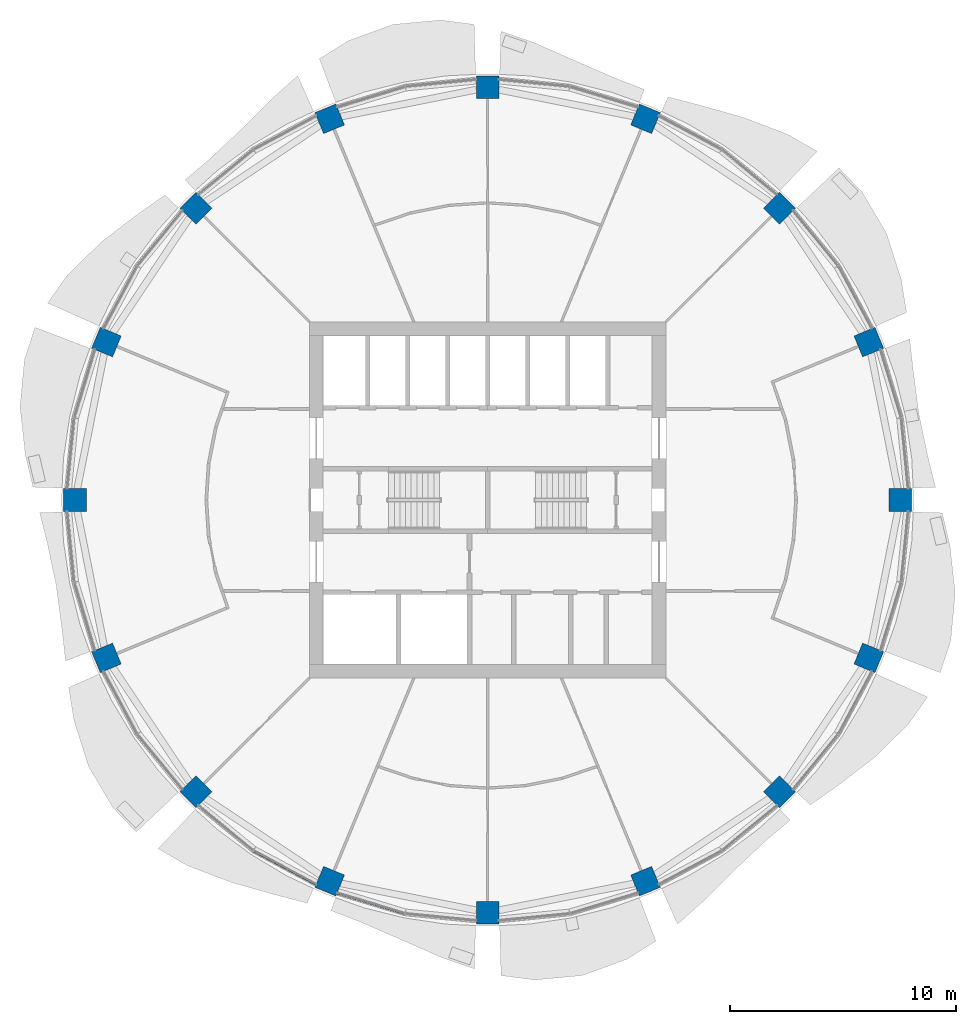
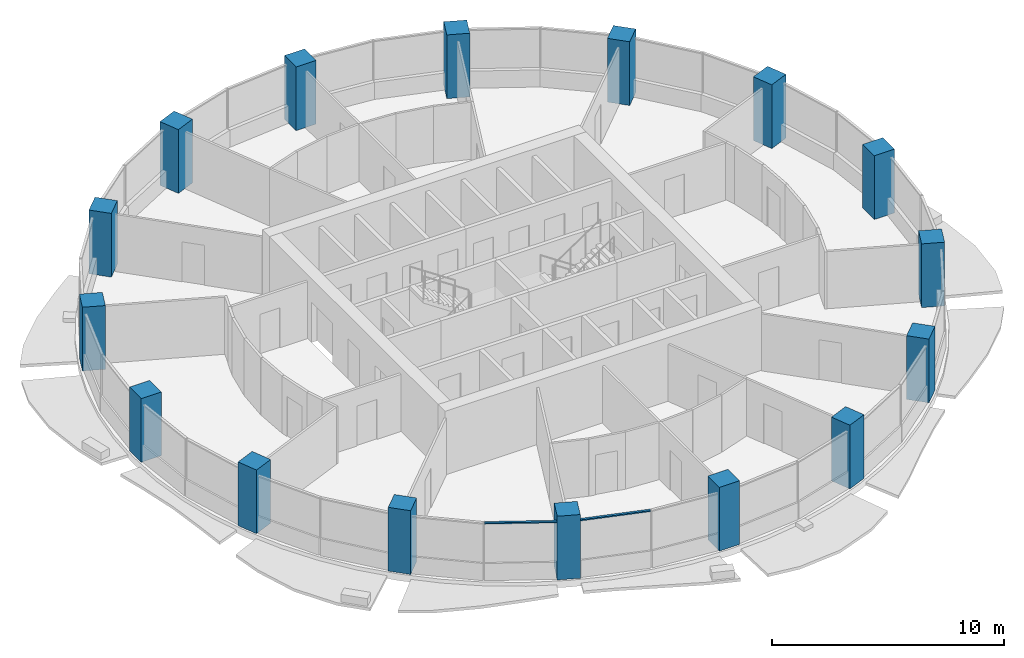
# One storey, part 1 of 15: 16 columns, 2 members, 2 elements without a shape of their own.
"""IFC4 building model written with IfcOpenShell, lengths in metres."""

from ifc_helpers import new_model, si_unit, direction, frame, origin, origin_2d, place, context, subcontext, project, spatial, rectangle, extrude, material, material_profile, profile_set, type_object, element, aggregate, save


model = new_model("IFC4")

# Units and contexts
model_context = context("Model", 3, precision=1e-05, world=origin(), true_north=direction((0.0, 1.0)))
body_context = subcontext(model_context, "Body", "Model", "MODEL_VIEW")
ifc_project = project(units=[si_unit("LENGTHUNIT", "METRE"), si_unit("AREAUNIT", "SQUARE_METRE"), si_unit("VOLUMEUNIT", "CUBIC_METRE"), si_unit("PLANEANGLEUNIT", "RADIAN"), si_unit("MASSUNIT", "GRAM", prefix="KILO")], contexts=[model_context])

# Site, building, storey
site_placement = place(None, origin())
site = spatial("IfcSite", under=ifc_project, at=site_placement, CompositionType="ELEMENT")
building_placement = place(site_placement, origin())
building = spatial("IfcBuilding", under=site, at=building_placement, Name="Polderwave Tower", CompositionType="ELEMENT")
storey_placement = place(building_placement, frame((0.0, 0.0, 154.449951171875)))
storey = spatial("IfcBuildingStorey", under=building, at=storey_placement, Name="L41", CompositionType="ELEMENT", Elevation=154.449951171875)

# Columns
ifc_material_1 = material(Name="Concrete C60/75", Category="concrete")
ifc_material_profile_1 = material_profile(ifc_material_1, rectangle(XDim=1.0, YDim=1.0, at=origin_2d()), Name="RC 1000x1000")
ifc_profile_set_1 = profile_set([ifc_material_profile_1], Name="Concrete C60/75")
column_type = type_object("IfcColumnType", Name="RC COLUMN 1000x1000 C60/75", PredefinedType="COLUMN", material=ifc_profile_set_1)
for number, where, z_axis, x_axis, name in (
    (1, (18.22998046875, 0.0, 0.0), (0.0, 0.0, 1.0), (1.0, 0.0, 0.0), "Ring column 01"),
    (2, (16.84228515625, 6.976318359375, 0.0), (0.0, 0.0, 1.0), (0.923879532511, 0.382683432365, 0.0), "Ring column 02"),
    (3, (12.890625, 12.890625, 0.0), (0.0, 0.0, 1.0), (0.707106781187, 0.707106781187, 0.0), "Ring column 03"),
    (4, (6.976318359375, 16.84228515625, 0.0), (0.0, 0.0, 1.0), (0.382683432365, 0.923879532511, 0.0), "Ring column 04"),
    (5, (0.0, 18.22998046875, 0.0), (0.0, 0.0, 1.0), (0.0, 1.0, 0.0), "Ring column 05"),
    (6, (-6.976318359375, 16.84228515625, 0.0), (0.0, 0.0, 1.0), (-0.382683432365, 0.923879532511, 0.0), "Ring column 06"),
    (7, (-12.890625, 12.890625, 0.0), (0.0, 0.0, 1.0), (-0.707106781187, 0.707106781187, 0.0), "Ring column 07"),
    (8, (-16.84228515625, 6.976318359375, 0.0), (0.0, 0.0, 1.0), (-0.923879532511, 0.382683432365, 0.0), "Ring column 08"),
    (9, (-18.22998046875, 0.0, 0.0), (0.0, 0.0, 1.0), (-1.0, 0.0, 0.0), "Ring column 09"),
    (10, (-16.84228515625, -6.976318359375, 0.0), (0.0, 0.0, 1.0), (-0.923879532511, -0.382683432365, 0.0), "Ring column 10"),
    (11, (-12.890625, -12.890625, 0.0), (0.0, 0.0, 1.0), (-0.707106781187, -0.707106781187, 0.0), "Ring column 11"),
    (12, (-6.976318359375, -16.84228515625, 0.0), (0.0, 0.0, 1.0), (-0.382683432365, -0.923879532511, 0.0), "Ring column 12"),
    (13, (0.0, -18.22998046875, 0.0), (0.0, 0.0, 1.0), (0.0, -1.0, 0.0), "Ring column 13"),
    (14, (6.976318359375, -16.84228515625, 0.0), (0.0, 0.0, 1.0), (0.382683432365, -0.923879532511, 0.0), "Ring column 14"),
    (15, (12.890625, -12.890625, 0.0), (0.0, 0.0, 1.0), (0.707106781187, -0.707106781187, 0.0), "Ring column 15"),
    (16, (16.84228515625, -6.976318359375, 0.0), (0.0, 0.0, 1.0), (0.923879532511, -0.382683432365, 0.0), "Ring column 16"),
):
    element("IfcColumn", number, at=place(storey_placement, frame(where, z_axis=z_axis, x_axis=x_axis)), inside=storey, type_object=column_type, Name=name, PredefinedType="COLUMN", context=body_context, shape_type="SweptSolid", body=[
        extrude(rectangle(XDim=1.0, YDim=1.0, at=origin_2d()), origin(), (0.0, 0.0, 1.0), 3.35009765625),
    ])

# Curtain wall, member
ifc_material_2 = material(Name="Aluminium 6063-T6 and glass", Category="aluminium")
curtain_wall_type = type_object("IfcCurtainWallType", Name="Office ribbon glazing wall", PredefinedType="NOTDEFINED", material=ifc_material_2)
curtain_wall_1_placement = place(storey_placement, origin())
curtain_wall_1 = element("IfcCurtainWall", 17, at=curtain_wall_1_placement, inside=storey, type_object=curtain_wall_type, Name="CW3 L41 10", PredefinedType="NOTDEFINED")
ifc_material_3 = material(Name="Aluminium 6063-T6", Category="aluminium")
ifc_material_profile_2 = material_profile(ifc_material_3, rectangle(XDim=0.1201171875, YDim=0.06005859375, at=origin_2d()), Name="AL 60x120")
ifc_profile_set_2 = profile_set([ifc_material_profile_2], Name="Aluminium 6063-T6")
member_type = type_object("IfcMemberType", Name="Office ribbon glazing transom 60x120", PredefinedType="USERDEFINED", material=ifc_profile_set_2)
member_1_placement = place(storey_placement, frame((-10.32568359375, -15.5029296875, 2.969970703125), z_axis=(0.881880665153, -0.471472684712, 0.0), x_axis=(0.471472684712, 0.881880665153, 0.0)))
member_1 = element("IfcMember", 18, at=member_1_placement, type_object=member_type, Name="CW3 transom 2", ObjectType="TRANSOM", PredefinedType="USERDEFINED", context=body_context, shape_type="SweptSolid", body=[
    extrude(rectangle(XDim=0.1201171875, YDim=0.06005859375, at=origin_2d()), origin(), (0.0, 0.0, 1.0), 3.12255859375),
])
aggregate(curtain_wall_1, [member_1])

curtain_wall_2_placement = place(storey_placement, origin())
curtain_wall_2 = element("IfcCurtainWall", 19, at=curtain_wall_2_placement, inside=storey, type_object=curtain_wall_type, Name="CW3 L41 11", PredefinedType="NOTDEFINED")
member_2_placement = place(storey_placement, frame((-6.64892578125, -17.35791015625, 2.969970703125), z_axis=(0.956963215555, -0.290209241883, 0.0), x_axis=(0.290209241883, 0.956963215555, 0.0)))
member_2 = element("IfcMember", 20, at=member_2_placement, type_object=member_type, Name="CW3 transom 1", ObjectType="TRANSOM", PredefinedType="USERDEFINED", context=body_context, shape_type="SweptSolid", body=[
    extrude(rectangle(XDim=0.1201171875, YDim=0.06005859375, at=origin_2d()), origin(), (0.0, 0.0, 1.0), 3.121826171875),
])
aggregate(curtain_wall_2, [member_2])

save(model, "model.ifc")
